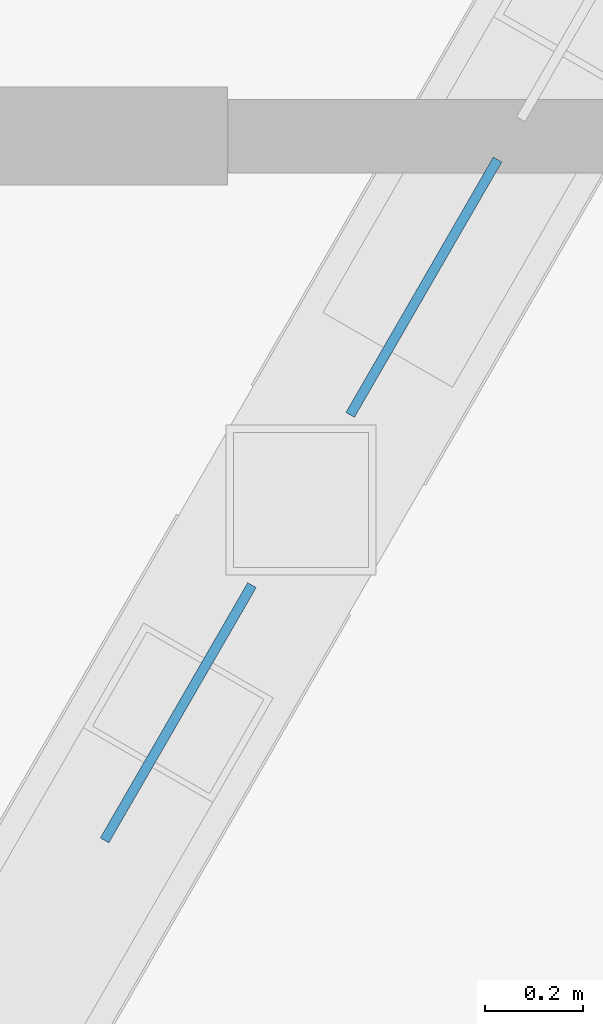
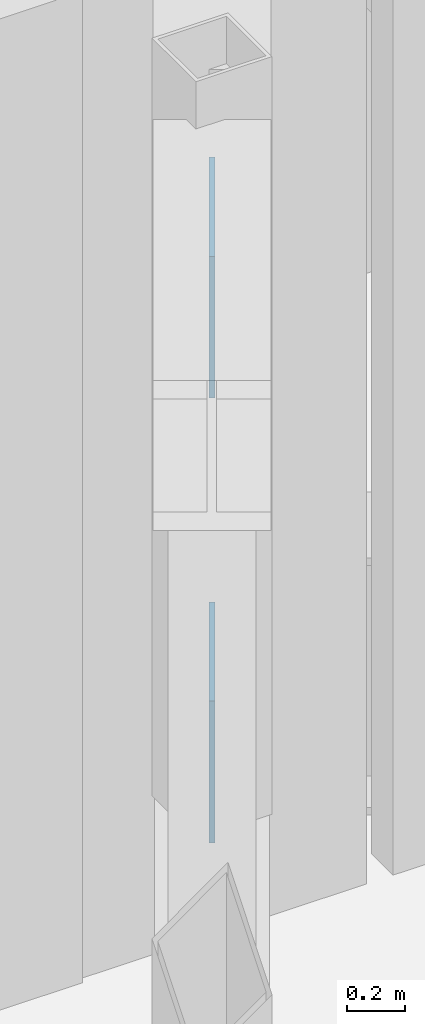
# One storey, part 29 of 36: 2 discrete accessories.
"""IFC4 building model written with IfcOpenShell, lengths in metres."""

from ifc_helpers import new_model, si_unit, direction, frame, origin, origin_2d, place, context, subcontext, project, spatial, rectangle, extrude, material, type_object, element, save


model = new_model("IFC4")

# Units and contexts
model_context = context("Model", 3, precision=1e-05, world=origin(), true_north=direction((0.0, 1.0)))
body_context = subcontext(model_context, "Body", "Model", "MODEL_VIEW")
ifc_project = project(units=[si_unit("LENGTHUNIT", "METRE"), si_unit("AREAUNIT", "SQUARE_METRE"), si_unit("VOLUMEUNIT", "CUBIC_METRE"), si_unit("PLANEANGLEUNIT", "RADIAN"), si_unit("MASSUNIT", "GRAM", prefix="KILO")], contexts=[model_context])

# Site, building, storey
site_placement = place(None, origin())
site = spatial("IfcSite", under=ifc_project, at=site_placement, CompositionType="ELEMENT")
building_placement = place(site_placement, origin())
building = spatial("IfcBuilding", under=site, at=building_placement, Name="Isthmus Gate Tower", CompositionType="ELEMENT")
storey_placement = place(building_placement, frame((0.0, 0.0, 117.14990234375)))
storey = spatial("IfcBuildingStorey", under=building, at=storey_placement, Name="L28", CompositionType="ELEMENT", Elevation=117.14990234375)

# Discrete accessories
ifc_material = material(Name="Structural steel ASTM A992 Gr 50", Category="steel")
discrete_accessory_type = type_object("IfcDiscreteAccessoryType", Name="GUSSET PLATE 600 X 20", PredefinedType="USERDEFINED", material=ifc_material)
for number, where, z_axis, x_axis, name in (
    (1, (29.498291015625, -3.507568359375, 0.7890625), (0.0, 0.0, 1.0), (0.5, 0.866025403784, 0.0), "GUSSET PLATE"),
    (2, (28.998291015625, -4.373779296875, 3.374755859375), (0.0, 0.0, 1.0), (0.5, 0.866025403784, 0.0), "GUSSET PLATE"),
):
    element("IfcDiscreteAccessory", number, at=place(storey_placement, frame(where, z_axis=z_axis, x_axis=x_axis)), inside=storey, type_object=discrete_accessory_type, Name=name, ObjectType="GUSSET PLATE", PredefinedType="USERDEFINED", context=body_context, shape_type="SweptSolid", body=[
        extrude(rectangle(XDim=0.60009765625, YDim=0.02001953125, at=origin_2d()), origin(), (0.0, 0.0, 1.0), 0.60009765625),
    ])

save(model, "model.ifc")
